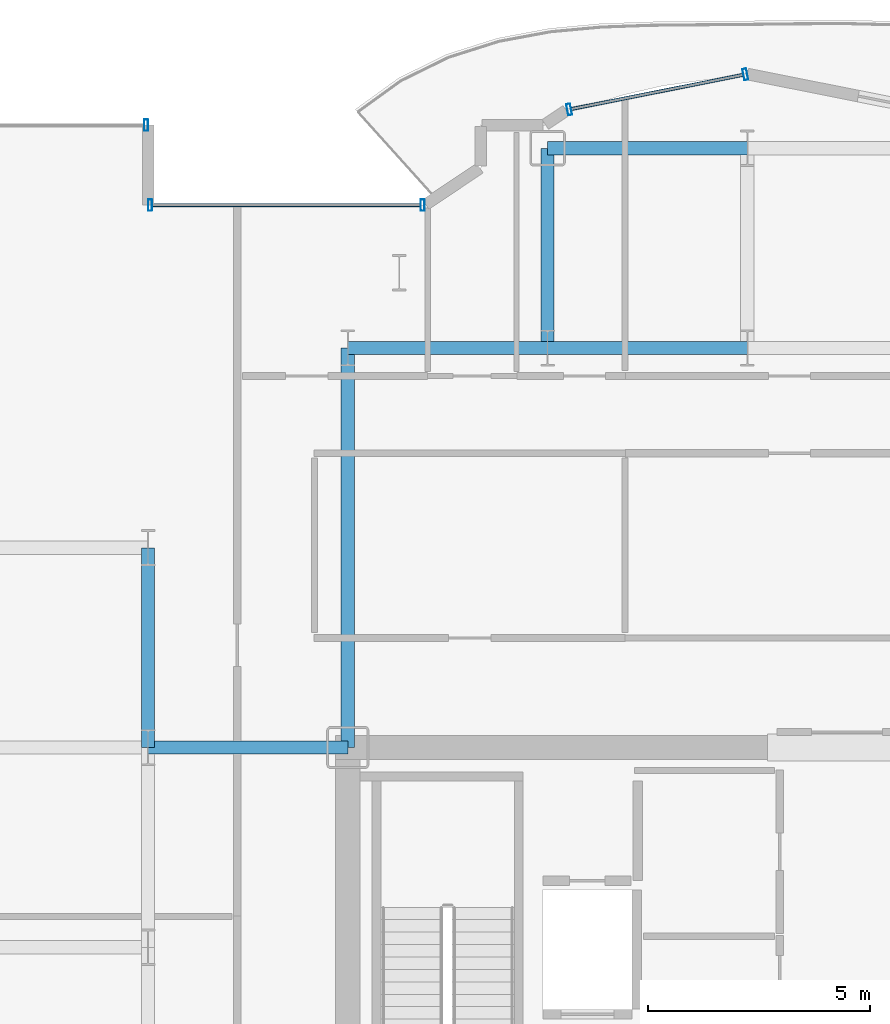
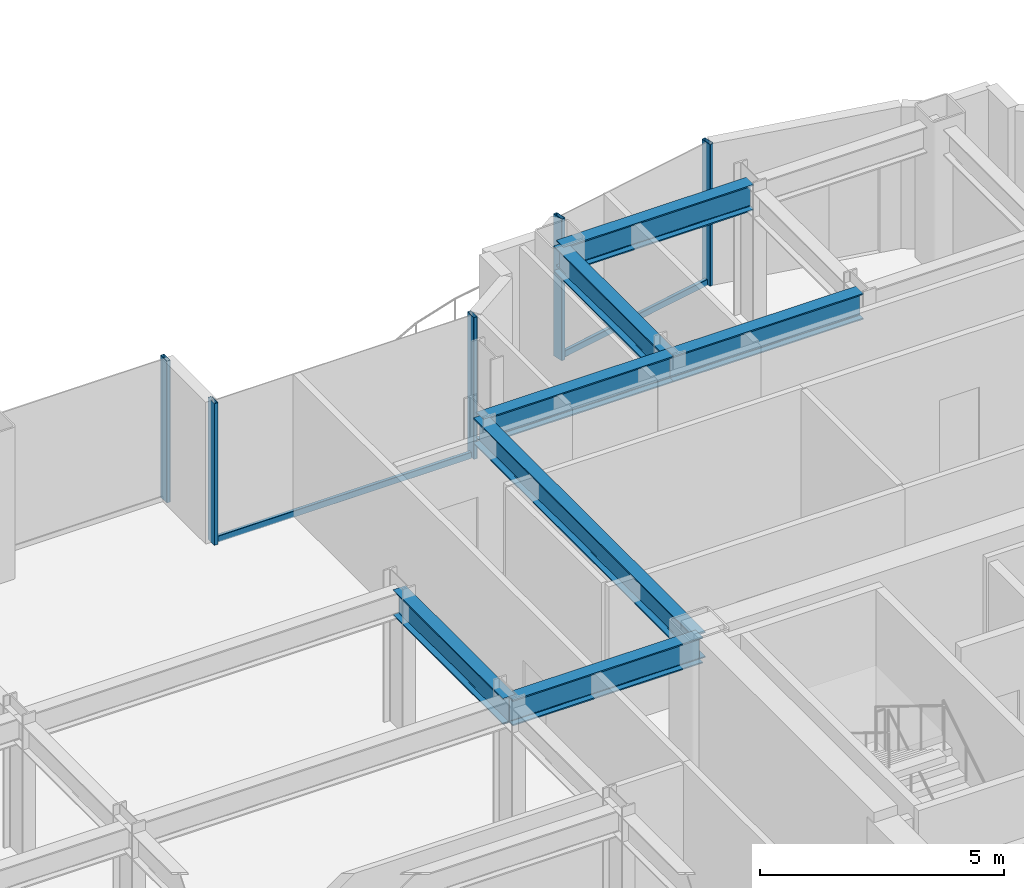
# One storey, part 11 of 23: 7 beams, 7 members, 3 elements without a shape of their own.
"""IFC4 building model written with IfcOpenShell, lengths in metres."""

from ifc_helpers import new_model, si_unit, direction, frame, origin, origin_2d, place, context, subcontext, project, spatial, hollow_rectangle, i_section, extrude, source, transform, mapped, material, layer, layer_set, material_profile, profile_set, type_object, element, aggregate, save


model = new_model("IFC4")

# Units and contexts
model_context = context("Model", 3, precision=1e-05, world=origin(), true_north=direction((0.0, 1.0)))
body_context = subcontext(model_context, "Body", "Model", "MODEL_VIEW")
ifc_project = project(units=[si_unit("LENGTHUNIT", "METRE"), si_unit("AREAUNIT", "SQUARE_METRE"), si_unit("VOLUMEUNIT", "CUBIC_METRE"), si_unit("PLANEANGLEUNIT", "RADIAN"), si_unit("MASSUNIT", "GRAM", prefix="KILO")], contexts=[model_context])

# Site, building, storey
site_placement = place(None, origin())
site = spatial("IfcSite", under=ifc_project, at=site_placement, CompositionType="ELEMENT")
building_placement = place(site_placement, origin())
building = spatial("IfcBuilding", under=site, at=building_placement, Name="Nefas-Gora Pilgrimage Tower", CompositionType="ELEMENT")
storey_placement = place(building_placement, frame((0.0, 0.0, 156.39990234375)))
storey = spatial("IfcBuildingStorey", under=building, at=storey_placement, Name="L38", CompositionType="ELEMENT", Elevation=156.39990234375)

# Beams
ifc_material_1 = material(Name="Steel S355", Category="steel")
ifc_material_profile_1 = material_profile(ifc_material_1, i_section(OverallWidth=0.300048828125, OverallDepth=0.64990234375, WebThickness=0.01611328125, FlangeThickness=0.031005859375, FilletRadius=0.027099609375, at=origin_2d()), Name="HEB 650")
ifc_profile_set_1 = profile_set([ifc_material_profile_1], Name="Steel S355")
beam_type = type_object("IfcBeamType", Name="BM-GIR-HEB650", PredefinedType="BEAM", material=ifc_profile_set_1)
shared_shape_1 = source(origin(), body_context, "Body", "SweptSolid", [
    extrude(i_section(OverallWidth=0.300048828125, OverallDepth=0.64990234375, WebThickness=0.01611328125, FlangeThickness=0.031005859375, FilletRadius=0.027099609375, at=origin_2d()), origin(), (0.0, 0.0, 1.0), 9.0),
])
beam_placement = place(storey_placement, frame((-11.25, 9.0, 3.22509765625), z_axis=(0.0, 1.0, 0.0), x_axis=(-1.0, 0.0, 0.0)))
element("IfcBeam", 1, at=beam_placement, inside=storey, type_object=beam_type, Name="L38 G-03 beam", PredefinedType="BEAM", context=body_context, shape_type="MappedRepresentation", body=[
    mapped(shared_shape_1, transform((0.0, 0.0, 0.0), x_axis=(1.0, 0.0, 0.0), y_axis=(0.0, 1.0, 0.0), z_axis=(0.0, 0.0, 1.0), scale=1.0)),
])
shared_shape_2 = source(origin(), body_context, "Body", "SweptSolid", [
    extrude(i_section(OverallWidth=0.300048828125, OverallDepth=0.64990234375, WebThickness=0.01611328125, FlangeThickness=0.031005859375, FilletRadius=0.027099609375, at=origin_2d()), origin(), (0.0, 0.0, 1.0), 4.5),
])
for number, where, z_axis, x_axis, name in (
    (2, (-15.75, 9.0, 3.22509765625), (0.0, 1.0, 0.0), (-1.0, 0.0, 0.0), "L38 G-03 beam"),
    (3, (-15.75, 9.0, 3.22509765625), (1.0, 0.0, 0.0), (0.0, 1.0, 0.0), "L38 G-03 beam"),
    (4, (-11.25, 18.0, 3.22509765625), (1.0, 0.0, 0.0), (0.0, 1.0, 0.0), "L38 G-03 beam"),
    (5, (-6.75, 18.0, 3.22509765625), (0.0, 1.0, 0.0), (-1.0, 0.0, 0.0), "L38 G-03 beam"),
    (6, (-6.75, 18.0, 3.22509765625), (1.0, 0.0, 0.0), (0.0, 1.0, 0.0), "L38 G-03 beam"),
    (7, (-6.75, 22.5, 3.22509765625), (1.0, 0.0, 0.0), (0.0, 1.0, 0.0), "L38 G-03 beam"),
):
    element("IfcBeam", number, at=place(storey_placement, frame(where, z_axis=z_axis, x_axis=x_axis)), inside=storey, type_object=beam_type, Name=name, PredefinedType="BEAM", context=body_context, shape_type="MappedRepresentation", body=[
        mapped(shared_shape_2, transform((0.0, 0.0, 0.0), x_axis=(1.0, 0.0, 0.0), y_axis=(0.0, 1.0, 0.0), z_axis=(0.0, 0.0, 1.0), scale=1.0)),
    ])

# Curtain wall, members
ifc_material_2 = material(Name="Dark ceramic-fritted solar-control aluminium-glass curtain wall", Category="aluminium")
ifc_layer_1 = layer(ifc_material_2, 0.219970703125)
ifc_layer_set_1 = layer_set([ifc_layer_1], Name="Dark ceramic-fritted solar-control aluminium-glass curtain wall")
curtain_wall_type_1 = type_object("IfcCurtainWallType", Name="CW-SYS-5", PredefinedType="NOTDEFINED", material=ifc_layer_set_1)
curtain_wall_1_placement = place(storey_placement, origin())
curtain_wall_1 = element("IfcCurtainWall", 8, at=curtain_wall_1_placement, inside=storey, type_object=curtain_wall_type_1, Name="L38 Unitised Curtain Wall CW5", PredefinedType="NOTDEFINED")
ifc_material_3 = material(Name="Anodised architectural aluminium", Category="aluminium")
ifc_material_profile_2 = material_profile(ifc_material_3, hollow_rectangle(XDim=0.090087890625, YDim=0.260009765625, WallThickness=0.006103515625, InnerFilletRadius=0.006103515625, OuterFilletRadius=0.011962890625, at=origin_2d()), Name="ALU MULLION 90x260")
ifc_profile_set_2 = profile_set([ifc_material_profile_2], Name="Anodised architectural aluminium")
member_type_1 = type_object("IfcMemberType", Name="CWM-MUL-5", PredefinedType="MULLION", material=ifc_profile_set_2)
shared_shape_3 = source(origin(), body_context, "Body", "SweptSolid", [
    extrude(hollow_rectangle(XDim=0.090087890625, YDim=0.260009765625, WallThickness=0.006103515625, InnerFilletRadius=0.006103515625, OuterFilletRadius=0.011962890625, at=origin_2d()), origin(), (0.0, 0.0, 1.0), 3.550048828125),
])
member_1_placement = place(storey_placement, frame((-2.294189453125, 24.16357421875, 0.0), z_axis=(0.0, 0.0, 1.0), x_axis=(-0.980782896852, -0.195102304554, 0.0)))
member_1 = element("IfcMember", 9, at=member_1_placement, type_object=member_type_1, Name="CW5 Mullion 1", PredefinedType="MULLION", context=body_context, shape_type="MappedRepresentation", body=[
    mapped(shared_shape_3, transform((0.0, 0.0, 0.0), x_axis=(1.0, 0.0, 0.0), y_axis=(0.0, 1.0, 0.0), z_axis=(0.0, 0.0, 1.0), scale=1.0)),
])
member_2_placement = place(storey_placement, frame((-6.26318359375, 23.3740234375, 0.0), z_axis=(0.0, 0.0, 1.0), x_axis=(-0.980782896852, -0.195102304554, 0.0)))
member_2 = element("IfcMember", 10, at=member_2_placement, type_object=member_type_1, Name="CW5 Mullion 2", PredefinedType="MULLION", context=body_context, shape_type="MappedRepresentation", body=[
    mapped(shared_shape_3, transform((0.0, 0.0, 0.0), x_axis=(1.0, 0.0, 0.0), y_axis=(0.0, 1.0, 0.0), z_axis=(0.0, 0.0, 1.0), scale=1.0)),
])

curtain_wall_2_placement = place(storey_placement, origin())
curtain_wall_2 = element("IfcCurtainWall", 11, at=curtain_wall_2_placement, inside=storey, type_object=curtain_wall_type_1, Name="L38 Unitised Curtain Wall CW5", PredefinedType="NOTDEFINED")
member_3_placement = place(storey_placement, frame((-9.56298828125, 21.219970703125, 0.0), z_axis=(0.0, 0.0, 1.0), x_axis=(-1.0, 0.0, 0.0)))
member_3 = element("IfcMember", 12, at=member_3_placement, type_object=member_type_1, Name="CW5 Mullion 1", PredefinedType="MULLION", context=body_context, shape_type="MappedRepresentation", body=[
    mapped(shared_shape_3, transform((0.0, 0.0, 0.0), x_axis=(1.0, 0.0, 0.0), y_axis=(0.0, 1.0, 0.0), z_axis=(0.0, 0.0, 1.0), scale=1.0)),
])
member_4_placement = place(storey_placement, frame((-15.705078125, 21.219970703125, 0.0), z_axis=(0.0, 0.0, 1.0), x_axis=(-1.0, 0.0, 0.0)))
member_4 = element("IfcMember", 13, at=member_4_placement, type_object=member_type_1, Name="CW5 Mullion 2", PredefinedType="MULLION", context=body_context, shape_type="MappedRepresentation", body=[
    mapped(shared_shape_3, transform((0.0, 0.0, 0.0), x_axis=(1.0, 0.0, 0.0), y_axis=(0.0, 1.0, 0.0), z_axis=(0.0, 0.0, 1.0), scale=1.0)),
])
ifc_material_profile_3 = material_profile(ifc_material_3, hollow_rectangle(XDim=0.080078125, YDim=0.159912109375, WallThickness=0.00439453125, InnerFilletRadius=0.00439453125, OuterFilletRadius=0.009033203125, at=origin_2d()), Name="ALU TRANSOM 80x160")
ifc_profile_set_3 = profile_set([ifc_material_profile_3], Name="Anodised architectural aluminium")
member_type_2 = type_object("IfcMemberType", Name="CWM-TRN-5", PredefinedType="USERDEFINED", material=ifc_profile_set_3)
shared_shape_4 = source(origin(), body_context, "Body", "SweptSolid", [
    extrude(hollow_rectangle(XDim=0.080078125, YDim=0.159912109375, WallThickness=0.00439453125, InnerFilletRadius=0.00439453125, OuterFilletRadius=0.009033203125, at=origin_2d()), origin(), (0.0, 0.0, 1.0), 6.052001953125),
])
member_5_placement = place(storey_placement, frame((-9.60791015625, 21.219970703125, 0.050048828125), z_axis=(-1.0, 0.0, 0.0), x_axis=(0.0, -1.0, 0.0)))
member_5 = element("IfcMember", 14, at=member_5_placement, type_object=member_type_2, Name="CW5 Spandrel Transom", ObjectType="TRANSOM", PredefinedType="USERDEFINED", context=body_context, shape_type="MappedRepresentation", body=[
    mapped(shared_shape_4, transform((0.0, 0.0, 0.0), x_axis=(1.0, 0.0, 0.0), y_axis=(0.0, 1.0, 0.0), z_axis=(0.0, 0.0, 1.0), scale=1.0)),
])
aggregate(curtain_wall_2, [member_3, member_4, member_5])

# Member
shared_shape_5 = source(origin(), body_context, "Body", "SweptSolid", [
    extrude(hollow_rectangle(XDim=0.080078125, YDim=0.159912109375, WallThickness=0.00439453125, InnerFilletRadius=0.00439453125, OuterFilletRadius=0.009033203125, at=origin_2d()), origin(), (0.0, 0.0, 1.0), 3.95654296875),
])
member_6_placement = place(storey_placement, frame((-2.33837890625, 24.15478515625, 0.050048828125), z_axis=(-0.980781880918, -0.195107411605, 0.0), x_axis=(0.195107411605, -0.980781880918, 0.0)))
member_6 = element("IfcMember", 15, at=member_6_placement, type_object=member_type_2, Name="CW5 Spandrel Transom", ObjectType="TRANSOM", PredefinedType="USERDEFINED", context=body_context, shape_type="MappedRepresentation", body=[
    mapped(shared_shape_5, transform((0.0, 0.0, 0.0), x_axis=(1.0, 0.0, 0.0), y_axis=(0.0, 1.0, 0.0), z_axis=(0.0, 0.0, 1.0), scale=1.0)),
])

aggregate(curtain_wall_1, [member_1, member_2, member_6])

# Curtain wall, member
ifc_layer_2 = layer(ifc_material_2, 0.219970703125)
ifc_layer_set_2 = layer_set([ifc_layer_2], Name="Dark ceramic-fritted solar-control aluminium-glass curtain wall")
curtain_wall_type_2 = type_object("IfcCurtainWallType", Name="CW-SYS-3", PredefinedType="NOTDEFINED", material=ifc_layer_set_2)
curtain_wall_3_placement = place(storey_placement, origin())
curtain_wall_3 = element("IfcCurtainWall", 16, at=curtain_wall_3_placement, inside=storey, type_object=curtain_wall_type_2, Name="L38 Unitised Curtain Wall CW3", PredefinedType="NOTDEFINED")
ifc_material_profile_4 = material_profile(ifc_material_3, hollow_rectangle(XDim=0.090087890625, YDim=0.260009765625, WallThickness=0.006103515625, InnerFilletRadius=0.006103515625, OuterFilletRadius=0.011962890625, at=origin_2d()), Name="ALU MULLION 90x260")
ifc_profile_set_4 = profile_set([ifc_material_profile_4], Name="Anodised architectural aluminium")
member_type_3 = type_object("IfcMemberType", Name="CWM-MUL-3", PredefinedType="MULLION", material=ifc_profile_set_4)
shared_shape_6 = source(origin(), body_context, "Body", "SweptSolid", [
    extrude(hollow_rectangle(XDim=0.090087890625, YDim=0.260009765625, WallThickness=0.006103515625, InnerFilletRadius=0.006103515625, OuterFilletRadius=0.011962890625, at=origin_2d()), origin(), (0.0, 0.0, 1.0), 3.550048828125),
])
member_7_placement = place(storey_placement, frame((-15.794921875, 23.02001953125, 0.0), z_axis=(0.0, 0.0, 1.0), x_axis=(-1.0, 0.0, 0.0)))
member_7 = element("IfcMember", 17, at=member_7_placement, type_object=member_type_3, Name="CW3 Mullion 1", PredefinedType="MULLION", context=body_context, shape_type="MappedRepresentation", body=[
    mapped(shared_shape_6, transform((0.0, 0.0, 0.0), x_axis=(1.0, 0.0, 0.0), y_axis=(0.0, 1.0, 0.0), z_axis=(0.0, 0.0, 1.0), scale=1.0)),
])
aggregate(curtain_wall_3, [member_7])

save(model, "model.ifc")
